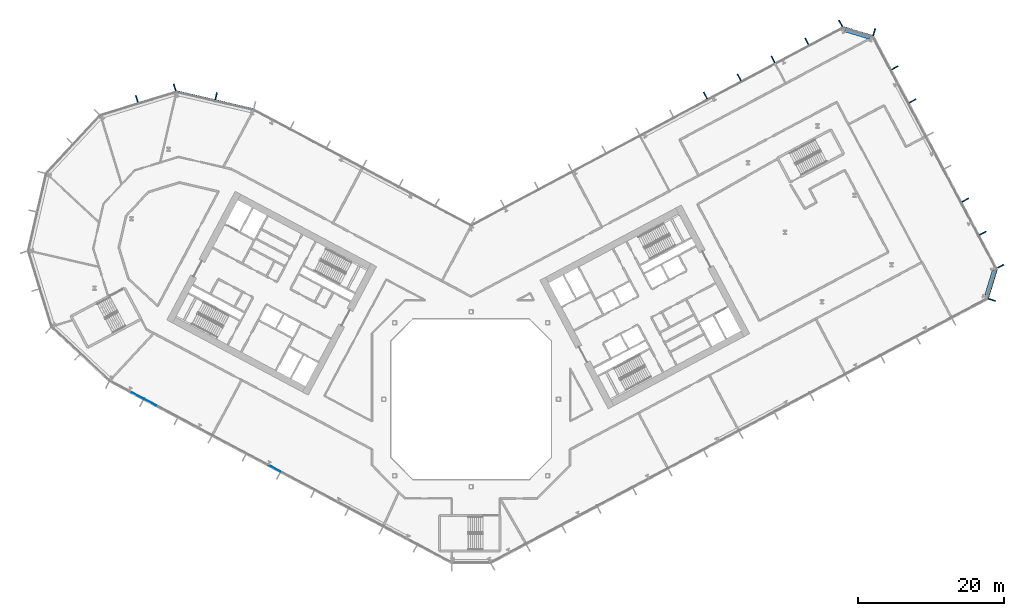
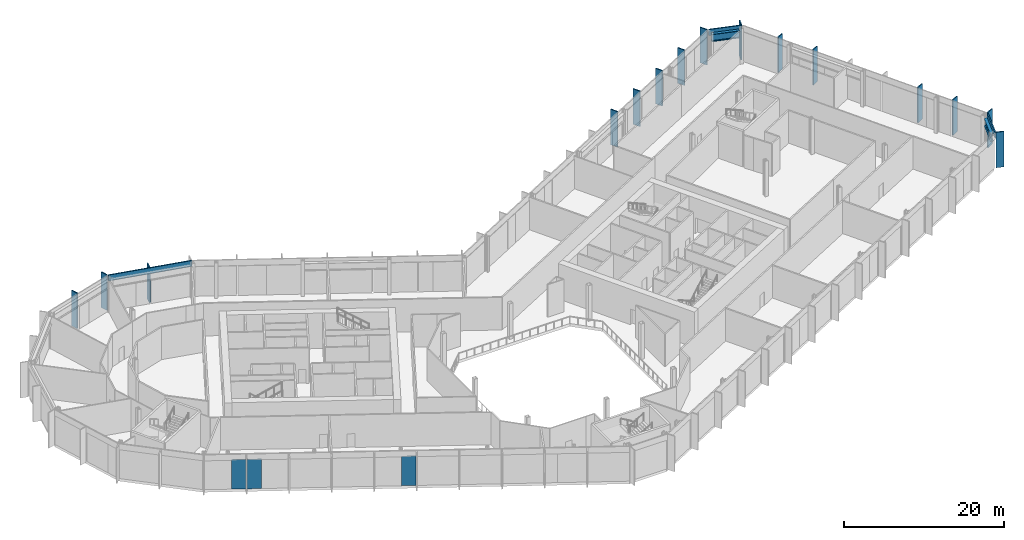
# One storey, part 8 of 30: 18 members, 3 plates, 2 beams, 7 elements without a shape of their own.
"""IFC4 building model written with IfcOpenShell, lengths in metres."""

from ifc_helpers import new_model, si_unit, direction, frame, origin, origin_2d, place, context, subcontext, project, spatial, rectangle, i_section, extrude, material, layer, layer_set, material_profile, profile_set, type_object, element, aggregate, save


model = new_model("IFC4")

# Units and contexts
model_context = context("Model", 3, precision=1e-05, world=origin(), true_north=direction((0.0, 1.0)))
body_context = subcontext(model_context, "Body", "Model", "MODEL_VIEW")
ifc_project = project(units=[si_unit("LENGTHUNIT", "METRE"), si_unit("AREAUNIT", "SQUARE_METRE"), si_unit("VOLUMEUNIT", "CUBIC_METRE"), si_unit("PLANEANGLEUNIT", "RADIAN"), si_unit("MASSUNIT", "GRAM", prefix="KILO")], contexts=[model_context])

# Site, building, storey
site_placement = place(None, origin())
site = spatial("IfcSite", under=ifc_project, at=site_placement, CompositionType="ELEMENT")
building_placement = place(site_placement, origin())
building = spatial("IfcBuilding", under=site, at=building_placement, Name="Cormorant Relay Tower", CompositionType="ELEMENT")
storey_placement = place(building_placement, frame((0.0, 0.0, 44.60009765625)))
storey = spatial("IfcBuildingStorey", under=building, at=storey_placement, Name="L08", CompositionType="ELEMENT", Elevation=44.60009765625)

# Curtain wall, member
ifc_material_1 = material(Name="Aluminium 6063-T6 anodised bronze", Category="aluminium")
ifc_layer_1 = layer(ifc_material_1, 0.235107421875)
ifc_layer_set_1 = layer_set([ifc_layer_1], Name="CW6 data hall curtain wall with mineral wool panels")
curtain_wall_type = type_object("IfcCurtainWallType", Name="CW6 data hall curtain wall with mineral wool panels", PredefinedType="NOTDEFINED", material=ifc_layer_set_1)
curtain_wall_1_placement = place(storey_placement, origin())
curtain_wall_1 = element("IfcCurtainWall", 1, at=curtain_wall_1_placement, inside=storey, type_object=curtain_wall_type, Name="CW6 curtain wall 3", PredefinedType="NOTDEFINED")
ifc_material_2 = material(Name="Aluminium 6063-T6 anodised bronze", Category="aluminium")
ifc_material_profile_1 = material_profile(ifc_material_2, rectangle(XDim=0.14990234375, YDim=1.0, at=origin_2d()), Name="AL 150x1000")
ifc_profile_set_1 = profile_set([ifc_material_profile_1], Name="Aluminium 6063-T6 anodised bronze")
member_type_1 = type_object("IfcMemberType", Name="CW6 bronze fin mullion 150 x 1000", PredefinedType="MULLION", material=ifc_profile_set_1)
member_1_placement = place(storey_placement, frame((71.485107421875, 13.63671875, 0.0), z_axis=(0.0, 0.0, 1.0), x_axis=(0.292371704723, 0.956304755963, 0.0)))
member_1 = element("IfcMember", 2, at=member_1_placement, type_object=member_type_1, Name="CW6 fin 3.1", PredefinedType="MULLION", context=body_context, shape_type="SweptSolid", body=[
    extrude(rectangle(XDim=0.14990234375, YDim=1.0, at=origin_2d()), origin(), (0.0, 0.0, 1.0), 5.39990234375),
])

# Curtain wall, members
curtain_wall_2_placement = place(storey_placement, origin())
curtain_wall_2 = element("IfcCurtainWall", 3, at=curtain_wall_2_placement, inside=storey, type_object=curtain_wall_type, Name="CW6 curtain wall 4", PredefinedType="NOTDEFINED")
member_2_placement = place(storey_placement, frame((72.671630859375, 18.25390625, 0.0), z_axis=(0.0, 0.0, 1.0), x_axis=(-0.469471562786, 0.882947592859, 0.0)))
member_2 = element("IfcMember", 4, at=member_2_placement, type_object=member_type_1, Name="CW6 fin 4.1", PredefinedType="MULLION", context=body_context, shape_type="SweptSolid", body=[
    extrude(rectangle(XDim=0.14990234375, YDim=1.0, at=origin_2d()), origin(), (0.0, 0.0, 1.0), 5.39990234375),
])
member_3_placement = place(storey_placement, frame((70.25732421875, 22.794921875, 0.0), z_axis=(0.0, 0.0, 1.0), x_axis=(-0.469471562786, 0.882947592859, 0.0)))
member_3 = element("IfcMember", 5, at=member_3_placement, type_object=member_type_1, Name="CW6 fin 4.2", PredefinedType="MULLION", context=body_context, shape_type="SweptSolid", body=[
    extrude(rectangle(XDim=0.14990234375, YDim=1.0, at=origin_2d()), origin(), (0.0, 0.0, 1.0), 5.39990234375),
])
member_4_placement = place(storey_placement, frame((67.8427734375, 27.335693359375, 0.0), z_axis=(0.0, 0.0, 1.0), x_axis=(-0.469471562786, 0.882947592859, 0.0)))
member_4 = element("IfcMember", 6, at=member_4_placement, type_object=member_type_1, Name="CW6 fin 4.3", PredefinedType="MULLION", context=body_context, shape_type="SweptSolid", body=[
    extrude(rectangle(XDim=0.14990234375, YDim=1.0, at=origin_2d()), origin(), (0.0, 0.0, 1.0), 5.39990234375),
])
member_5_placement = place(storey_placement, frame((60.599609375, 40.958251953125, 0.0), z_axis=(0.0, 0.0, 1.0), x_axis=(-0.469471562786, 0.882947592859, 0.0)))
member_5 = element("IfcMember", 7, at=member_5_placement, type_object=member_type_1, Name="CW6 fin 4.6", PredefinedType="MULLION", context=body_context, shape_type="SweptSolid", body=[
    extrude(rectangle(XDim=0.14990234375, YDim=1.0, at=origin_2d()), origin(), (0.0, 0.0, 1.0), 5.39990234375),
])
member_6_placement = place(storey_placement, frame((58.18505859375, 45.499267578125, 0.0), z_axis=(0.0, 0.0, 1.0), x_axis=(-0.469471562786, 0.882947592859, 0.0)))
member_6 = element("IfcMember", 8, at=member_6_placement, type_object=member_type_1, Name="CW6 fin 4.7", PredefinedType="MULLION", context=body_context, shape_type="SweptSolid", body=[
    extrude(rectangle(XDim=0.14990234375, YDim=1.0, at=origin_2d()), origin(), (0.0, 0.0, 1.0), 5.39990234375),
])
aggregate(curtain_wall_2, [member_2, member_3, member_4, member_5, member_6])

# Curtain wall, member
curtain_wall_3_placement = place(storey_placement, origin())
curtain_wall_3 = element("IfcCurtainWall", 9, at=curtain_wall_3_placement, inside=storey, type_object=curtain_wall_type, Name="CW6 curtain wall 5", PredefinedType="NOTDEFINED")
member_7_placement = place(storey_placement, frame((55.336669921875, 50.39794921875, 0.0), z_axis=(0.0, 0.0, 1.0), x_axis=(-0.956304755963, 0.292371704723, 0.0)))
member_7 = element("IfcMember", 10, at=member_7_placement, type_object=member_type_1, Name="CW6 fin 5.1", PredefinedType="MULLION", context=body_context, shape_type="SweptSolid", body=[
    extrude(rectangle(XDim=0.14990234375, YDim=1.0, at=origin_2d()), origin(), (0.0, 0.0, 1.0), 5.39990234375),
])

# Curtain wall, members
curtain_wall_4_placement = place(storey_placement, origin())
curtain_wall_4 = element("IfcCurtainWall", 11, at=curtain_wall_4_placement, inside=storey, type_object=curtain_wall_type, Name="CW6 curtain wall 6", PredefinedType="NOTDEFINED")
member_8_placement = place(storey_placement, frame((50.719482421875, 51.58447265625, 0.0), z_axis=(0.0, 0.0, 1.0), x_axis=(-0.882947592859, -0.469471562786, 0.0)))
member_8 = element("IfcMember", 12, at=member_8_placement, type_object=member_type_1, Name="CW6 fin 6.1", PredefinedType="MULLION", context=body_context, shape_type="SweptSolid", body=[
    extrude(rectangle(XDim=0.14990234375, YDim=1.0, at=origin_2d()), origin(), (0.0, 0.0, 1.0), 5.39990234375),
])
member_9_placement = place(storey_placement, frame((46.0771484375, 49.1162109375, 0.0), z_axis=(0.0, 0.0, 1.0), x_axis=(-0.882947592859, -0.469471562786, 0.0)))
member_9 = element("IfcMember", 13, at=member_9_placement, type_object=member_type_1, Name="CW6 fin 6.2", PredefinedType="MULLION", context=body_context, shape_type="SweptSolid", body=[
    extrude(rectangle(XDim=0.14990234375, YDim=1.0, at=origin_2d()), origin(), (0.0, 0.0, 1.0), 5.39990234375),
])
member_10_placement = place(storey_placement, frame((41.43505859375, 46.647705078125, 0.0), z_axis=(0.0, 0.0, 1.0), x_axis=(-0.882947592859, -0.469471562786, 0.0)))
member_10 = element("IfcMember", 14, at=member_10_placement, type_object=member_type_1, Name="CW6 fin 6.3", PredefinedType="MULLION", context=body_context, shape_type="SweptSolid", body=[
    extrude(rectangle(XDim=0.14990234375, YDim=1.0, at=origin_2d()), origin(), (0.0, 0.0, 1.0), 5.39990234375),
])
member_11_placement = place(storey_placement, frame((36.792724609375, 44.179443359375, 0.0), z_axis=(0.0, 0.0, 1.0), x_axis=(-0.882947592859, -0.469471562786, 0.0)))
member_11 = element("IfcMember", 15, at=member_11_placement, type_object=member_type_1, Name="CW6 fin 6.4", PredefinedType="MULLION", context=body_context, shape_type="SweptSolid", body=[
    extrude(rectangle(XDim=0.14990234375, YDim=1.0, at=origin_2d()), origin(), (0.0, 0.0, 1.0), 5.39990234375),
])
member_12_placement = place(storey_placement, frame((32.150390625, 41.711181640625, 0.0), z_axis=(0.0, 0.0, 1.0), x_axis=(-0.882947592859, -0.469471562786, 0.0)))
member_12 = element("IfcMember", 16, at=member_12_placement, type_object=member_type_1, Name="CW6 fin 6.5", PredefinedType="MULLION", context=body_context, shape_type="SweptSolid", body=[
    extrude(rectangle(XDim=0.14990234375, YDim=1.0, at=origin_2d()), origin(), (0.0, 0.0, 1.0), 5.39990234375),
])
aggregate(curtain_wall_4, [member_8, member_9, member_10, member_11, member_12])

# Curtain wall, member
curtain_wall_5_placement = place(storey_placement, origin())
curtain_wall_5 = element("IfcCurtainWall", 17, at=curtain_wall_5_placement, inside=storey, type_object=curtain_wall_type, Name="CW6 curtain wall 8", PredefinedType="NOTDEFINED")
member_13_placement = place(storey_placement, frame((-35.00439453125, 41.60693359375, 0.0), z_axis=(0.0, 0.0, 1.0), x_axis=(-0.974370064785, 0.224951054344, 0.0)))
member_13 = element("IfcMember", 18, at=member_13_placement, type_object=member_type_1, Name="CW6 fin 8.2", PredefinedType="MULLION", context=body_context, shape_type="SweptSolid", body=[
    extrude(rectangle(XDim=0.14990234375, YDim=1.0, at=origin_2d()), origin(), (0.0, 0.0, 1.0), 5.39990234375),
])

# Curtain wall, members
curtain_wall_6_placement = place(storey_placement, origin())
curtain_wall_6 = element("IfcCurtainWall", 19, at=curtain_wall_6_placement, inside=storey, type_object=curtain_wall_type, Name="CW6 curtain wall 9", PredefinedType="NOTDEFINED")
member_14_placement = place(storey_placement, frame((-40.680419921875, 42.81640625, 0.0), z_axis=(0.0, 0.0, 1.0), x_axis=(-0.956304755963, -0.292371704723, 0.0)))
member_14 = element("IfcMember", 20, at=member_14_placement, type_object=member_type_1, Name="CW6 fin 9.1", PredefinedType="MULLION", context=body_context, shape_type="SweptSolid", body=[
    extrude(rectangle(XDim=0.14990234375, YDim=1.0, at=origin_2d()), origin(), (0.0, 0.0, 1.0), 5.39990234375),
])
member_15_placement = place(storey_placement, frame((-45.878173828125, 41.227294921875, 0.0), z_axis=(0.0, 0.0, 1.0), x_axis=(-0.956304755963, -0.292371704723, 0.0)))
member_15 = element("IfcMember", 21, at=member_15_placement, type_object=member_type_1, Name="CW6 fin 9.2", PredefinedType="MULLION", context=body_context, shape_type="SweptSolid", body=[
    extrude(rectangle(XDim=0.14990234375, YDim=1.0, at=origin_2d()), origin(), (0.0, 0.0, 1.0), 5.39990234375),
])
aggregate(curtain_wall_6, [member_14, member_15])

# Member
ifc_material_3 = material(Name="Aluminium 6063-T6 anodised bronze", Category="aluminium")
ifc_material_profile_2 = material_profile(ifc_material_3, rectangle(XDim=0.159912109375, YDim=0.89990234375, at=origin_2d()), Name="AL 160x900")
ifc_profile_set_2 = profile_set([ifc_material_profile_2], Name="Aluminium 6063-T6 anodised bronze")
member_type_2 = type_object("IfcMemberType", Name="CW6 bronze transom 160 x 900", PredefinedType="USERDEFINED", material=ifc_profile_set_2)
member_16_placement = place(storey_placement, frame((70.930419921875, 13.806396484375, 4.949951171875), z_axis=(0.292391046905, 0.95629884225, 0.0), x_axis=(-0.95629884225, 0.292391046905, 0.0)))
member_16 = element("IfcMember", 22, at=member_16_placement, type_object=member_type_2, Name="CW6 transom 3", ObjectType="TRANSOM", PredefinedType="USERDEFINED", context=body_context, shape_type="SweptSolid", body=[
    extrude(rectangle(XDim=0.159912109375, YDim=0.89990234375, at=origin_2d()), origin(), (0.0, 0.0, 1.0), 4.242431640625),
])

aggregate(curtain_wall_1, [member_1, member_16])

member_17_placement = place(storey_placement, frame((55.1669921875, 49.84326171875, 4.949951171875), z_axis=(-0.95629884225, 0.292391046905, 0.0), x_axis=(-0.292391046905, -0.95629884225, 0.0)))
member_17 = element("IfcMember", 23, at=member_17_placement, type_object=member_type_2, Name="CW6 transom 5", ObjectType="TRANSOM", PredefinedType="USERDEFINED", context=body_context, shape_type="SweptSolid", body=[
    extrude(rectangle(XDim=0.159912109375, YDim=0.89990234375, at=origin_2d()), origin(), (0.0, 0.0, 1.0), 4.242431640625),
])

aggregate(curtain_wall_3, [member_7, member_17])

member_18_placement = place(storey_placement, frame((-29.8388671875, 39.819091796875, 4.949951171875), z_axis=(-0.974369993916, 0.22495136131, 0.0), x_axis=(-0.22495136131, -0.974369993916, 0.0)))
member_18 = element("IfcMember", 24, at=member_18_placement, type_object=member_type_2, Name="CW6 transom 8", ObjectType="TRANSOM", PredefinedType="USERDEFINED", context=body_context, shape_type="SweptSolid", body=[
    extrude(rectangle(XDim=0.159912109375, YDim=0.89990234375, at=origin_2d()), origin(), (0.0, 0.0, 1.0), 10.870361328125),
])

aggregate(curtain_wall_5, [member_13, member_18])

# Beams
ifc_material_4 = material(Name="Steel ASTM A992 (Fy 345 MPa)", Category="steel")
ifc_material_profile_3 = material_profile(ifc_material_4, i_section(OverallWidth=0.408935546875, OverallDepth=1.137939453125, WebThickness=0.031005859375, FlangeThickness=0.05517578125, FilletRadius=0.02001953125, at=origin_2d()), Name="W1100x607")
ifc_profile_set_3 = profile_set([ifc_material_profile_3], Name="Steel ASTM A992 (Fy 345 MPa)")
beam_type = type_object("IfcBeamType", Name="Spandrel W1100x607", PredefinedType="SPANDREL", material=ifc_profile_set_3)
beam_1_placement = place(storey_placement, frame((70.697998046875, 14.275390625, 4.380859375), z_axis=(0.292400100269, 0.956296074112, 0.0), x_axis=(-0.956296074112, 0.292400100269, 0.0)))
element("IfcBeam", 25, at=beam_1_placement, inside=storey, type_object=beam_type, Name="Spandrel beam L08-003", PredefinedType="SPANDREL", context=body_context, shape_type="SweptSolid", body=[
    extrude(i_section(OverallWidth=0.408935546875, OverallDepth=1.137939453125, WebThickness=0.031005859375, FlangeThickness=0.05517578125, FilletRadius=0.02001953125, at=origin_2d()), origin(), (0.0, 0.0, 1.0), 3.552734375),
])
beam_2_placement = place(storey_placement, frame((54.697998046875, 49.61083984375, 4.380859375), z_axis=(-0.956309414252, 0.292356467713, 0.0), x_axis=(-0.292356467713, -0.956309414252, 0.0)))
element("IfcBeam", 26, at=beam_2_placement, inside=storey, type_object=beam_type, Name="Spandrel beam L08-005", PredefinedType="SPANDREL", context=body_context, shape_type="SweptSolid", body=[
    extrude(i_section(OverallWidth=0.408935546875, OverallDepth=1.137939453125, WebThickness=0.031005859375, FlangeThickness=0.05517578125, FilletRadius=0.02001953125, at=origin_2d()), origin(), (0.0, 0.0, 1.0), 3.552490234375),
])

# Curtain wall, plates
curtain_wall_7_placement = place(storey_placement, origin())
curtain_wall_7 = element("IfcCurtainWall", 27, at=curtain_wall_7_placement, inside=storey, type_object=curtain_wall_type, Name="CW6 curtain wall 14", PredefinedType="NOTDEFINED")
ifc_material_5 = material(Name="Tinted triple-glazed laminated unit")
ifc_layer_2 = layer(ifc_material_5, 0.074951171875)
ifc_layer_set_2 = layer_set([ifc_layer_2], Name="CW6 triple-glazed vision unit 1800 module")
plate_type = type_object("IfcPlateType", Name="CW6 triple-glazed vision unit 1800 module", PredefinedType="CURTAIN_PANEL", material=ifc_layer_set_2)
plate_1_placement = place(storey_placement, frame((-45.77587890625, 0.512939453125, 0.0), z_axis=(0.0, 0.0, 1.0), x_axis=(0.882947592859, -0.469471562786, 0.0)))
plate_1 = element("IfcPlate", 28, at=plate_1_placement, type_object=plate_type, Name="CW6 panel V01", PredefinedType="CURTAIN_PANEL", context=body_context, shape_type="SweptSolid", body=[
    extrude(rectangle(XDim=1.800048828125, YDim=0.074951171875, at=origin_2d()), origin(), (0.0, 0.0, 1.0), 4.5),
])
plate_2_placement = place(storey_placement, frame((-44.053955078125, -0.402587890625, 0.0), z_axis=(0.0, 0.0, 1.0), x_axis=(0.882947592859, -0.469471562786, 0.0)))
plate_2 = element("IfcPlate", 29, at=plate_2_placement, type_object=plate_type, Name="CW6 panel V02", PredefinedType="CURTAIN_PANEL", context=body_context, shape_type="SweptSolid", body=[
    extrude(rectangle(XDim=1.800048828125, YDim=0.074951171875, at=origin_2d()), origin(), (0.0, 0.0, 1.0), 4.5),
])
plate_3_placement = place(storey_placement, frame((-26.998779296875, -9.470947265625, 0.0), z_axis=(0.0, 0.0, 1.0), x_axis=(0.882947592859, -0.469471562786, 0.0)))
plate_3 = element("IfcPlate", 30, at=plate_3_placement, type_object=plate_type, Name="CW6 panel V05", PredefinedType="CURTAIN_PANEL", context=body_context, shape_type="SweptSolid", body=[
    extrude(rectangle(XDim=1.800048828125, YDim=0.074951171875, at=origin_2d()), origin(), (0.0, 0.0, 1.0), 4.5),
])
aggregate(curtain_wall_7, [plate_1, plate_2, plate_3])

save(model, "model.ifc")
